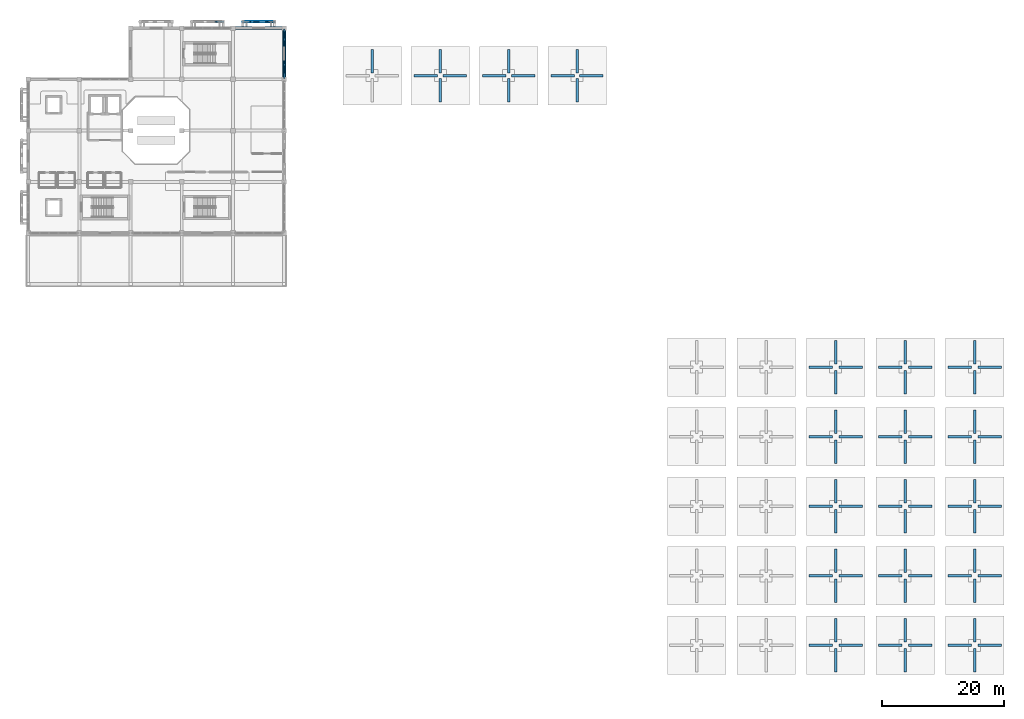
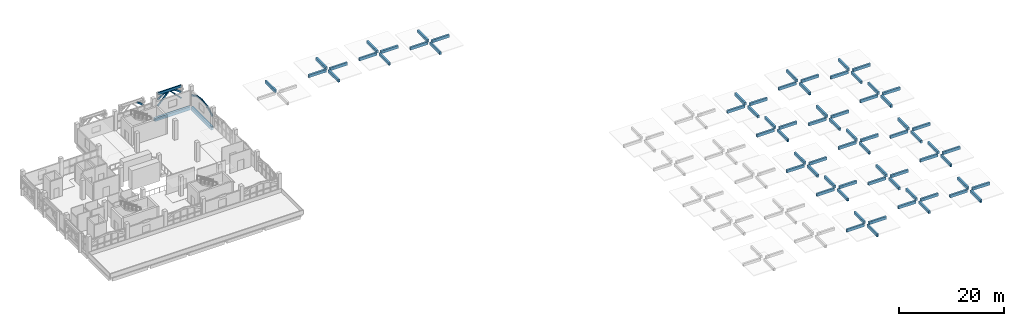
# One storey, part 17 of 30: 76 beams, 11 members.
"""IFC4 building model written with IfcOpenShell, lengths in metres."""

from ifc_helpers import new_model, si_unit, direction, frame, origin, origin_2d, place, context, subcontext, project, spatial, rectangle, extrude, material, material_profile, profile_set, type_object, element, save


model = new_model("IFC4")

# Units and contexts
model_context = context("Model", 3, precision=1e-05, world=origin(), true_north=direction((0.0, 1.0)))
body_context = subcontext(model_context, "Body", "Model", "MODEL_VIEW")
ifc_project = project(units=[si_unit("LENGTHUNIT", "METRE"), si_unit("AREAUNIT", "SQUARE_METRE"), si_unit("VOLUMEUNIT", "CUBIC_METRE"), si_unit("PLANEANGLEUNIT", "RADIAN"), si_unit("MASSUNIT", "GRAM", prefix="KILO")], contexts=[model_context])

# Site, building, storey
site_placement = place(None, origin())
site = spatial("IfcSite", under=ifc_project, at=site_placement, CompositionType="ELEMENT")
building_placement = place(site_placement, origin())
building = spatial("IfcBuilding", under=site, at=building_placement, Name="Xazarin Passage Department Store", CompositionType="ELEMENT")
storey_placement = place(building_placement, frame((0.0, 0.0, 23.39990234375)))
storey = spatial("IfcBuildingStorey", under=building, at=storey_placement, Name="L05", CompositionType="ELEMENT", Elevation=23.39990234375)

# Beams
ifc_material_1 = material(Name="Concrete C35/45", Category="concrete")
ifc_material_profile_1 = material_profile(ifc_material_1, rectangle(XDim=0.300048828125, YDim=0.5, at=origin_2d()), Name="RC 300x500")
ifc_profile_set_1 = profile_set([ifc_material_profile_1], Name="Concrete C35/45")
beam_type_1 = type_object("IfcBeamType", Name="STR-BM-LN300x500", PredefinedType="LINTEL", material=ifc_profile_set_1)
beam_1_placement = place(storey_placement, frame((35.219970703125, 111.050048828125, 4.25), z_axis=(1.0, 0.0, 0.0), x_axis=(0.0, 1.0, 0.0)))
element("IfcBeam", 1, at=beam_1_placement, inside=storey, type_object=beam_type_1, Name="L05 V1 Colonnade Spandrel Beam 003", PredefinedType="LINTEL", context=body_context, shape_type="SweptSolid", body=[
    extrude(rectangle(XDim=0.300048828125, YDim=0.5, at=origin_2d()), origin(), (0.0, 0.0, 1.0), 5.159912109375),
])
ifc_material_profile_2 = material_profile(ifc_material_1, rectangle(XDim=0.5, YDim=0.75, at=origin_2d()), Name="RC 500x750")
ifc_profile_set_2 = profile_set([ifc_material_profile_2], Name="Concrete C35/45")
beam_type_2 = type_object("IfcBeamType", Name="STR-BM-SP500x750", PredefinedType="SPANDREL", material=ifc_profile_set_2)
for number, where, z_axis, x_axis, name in (
    (2, (33.8798828125, 110.0, -0.6748046875), (1.0, 0.0, 0.0), (0.0, 1.0, 0.0), "L05 Grid Beam Q/5-6"),
    (3, (42.0, 101.8798828125, -0.6748046875), (0.0, 1.0, 0.0), (-1.0, 0.0, 0.0), "L05 Grid Beam 6/P-Q"),
):
    element("IfcBeam", number, at=place(storey_placement, frame(where, z_axis=z_axis, x_axis=x_axis)), inside=storey, type_object=beam_type_2, Name=name, PredefinedType="SPANDREL", context=body_context, shape_type="SweptSolid", body=[
        extrude(rectangle(XDim=0.5, YDim=0.75, at=origin_2d()), origin(), (0.0, 0.0, 1.0), 7.840087890625),
    ])
ifc_material_2 = material(Name="Concrete C40/50", Category="concrete")
ifc_material_profile_3 = material_profile(ifc_material_2, rectangle(XDim=0.39990234375, YDim=0.64990234375, at=origin_2d()), Name="RC 400x650")
ifc_profile_set_3 = profile_set([ifc_material_profile_3], Name="Concrete C40/50")
beam_type_3 = type_object("IfcBeamType", Name="STR-BM-UMB400x650", PredefinedType="BEAM", material=ifc_profile_set_3)
beam_2_placement = place(storey_placement, frame((56.39990234375, 102.639892578125, 2.455078125), z_axis=(0.0, 1.0, 0.0), x_axis=(-1.0, 0.0, 0.0)))
element("IfcBeam", 4, at=beam_2_placement, inside=storey, type_object=beam_type_3, Name="Umbrella UM1 Cantilever Rib N", PredefinedType="BEAM", context=body_context, shape_type="SweptSolid", body=[
    extrude(rectangle(XDim=0.39990234375, YDim=0.64990234375, at=origin_2d()), origin(), (0.0, 0.0, 1.0), 3.85009765625),
])
for number, where, z_axis, x_axis, name in (
    (5, (68.0400390625, 102.199951171875, 3.85498046875), (1.0, 0.0, 0.0), (0.0, 1.0, 0.0), "Umbrella UM2 Cantilever Rib E"),
    (6, (67.159912109375, 102.199951171875, 3.85498046875), (-1.0, 0.0, 0.0), (0.0, -1.0, 0.0), "Umbrella UM2 Cantilever Rib W"),
):
    element("IfcBeam", number, at=place(storey_placement, frame(where, z_axis=z_axis, x_axis=x_axis)), inside=storey, type_object=beam_type_3, Name=name, PredefinedType="BEAM", context=body_context, shape_type="SweptSolid", body=[
        extrude(rectangle(XDim=0.39990234375, YDim=0.64990234375, at=origin_2d()), origin(), (0.0, 0.0, 1.0), 3.849853515625),
    ])
for number, where, z_axis, x_axis, name in (
    (7, (67.60009765625, 102.639892578125, 3.85498046875), (0.0, 1.0, 0.0), (-1.0, 0.0, 0.0), "Umbrella UM2 Cantilever Rib N"),
    (8, (67.60009765625, 101.760009765625, 3.85498046875), (0.0, -1.0, 0.0), (1.0, 0.0, 0.0), "Umbrella UM2 Cantilever Rib S"),
    (9, (79.239990234375, 102.199951171875, 3.85498046875), (1.0, 0.0, 0.0), (0.0, 1.0, 0.0), "Umbrella UM3 Cantilever Rib E"),
    (10, (78.360107421875, 102.199951171875, 3.85498046875), (-1.0, 0.0, 0.0), (0.0, -1.0, 0.0), "Umbrella UM3 Cantilever Rib W"),
    (11, (78.800048828125, 102.639892578125, 3.85498046875), (0.0, 1.0, 0.0), (-1.0, 0.0, 0.0), "Umbrella UM3 Cantilever Rib N"),
    (12, (78.800048828125, 101.760009765625, 3.85498046875), (0.0, -1.0, 0.0), (1.0, 0.0, 0.0), "Umbrella UM3 Cantilever Rib S"),
    (13, (90.43994140625, 102.199951171875, 2.455078125), (1.0, 0.0, 0.0), (0.0, 1.0, 0.0), "Umbrella UM4 Cantilever Rib E"),
    (14, (89.56005859375, 102.199951171875, 2.455078125), (-1.0, 0.0, 0.0), (0.0, -1.0, 0.0), "Umbrella UM4 Cantilever Rib W"),
    (15, (90.0, 102.639892578125, 2.455078125), (0.0, 1.0, 0.0), (-1.0, 0.0, 0.0), "Umbrella UM4 Cantilever Rib N"),
    (16, (90.0, 101.760009765625, 2.455078125), (0.0, -1.0, 0.0), (1.0, 0.0, 0.0), "Umbrella UM4 Cantilever Rib S"),
    (17, (132.949951171875, 8.800048828125, 1.85498046875), (1.0, 0.0, 0.0), (0.0, 1.0, 0.0), "Umbrella UM7 Cantilever Rib E"),
    (18, (131.85009765625, 8.800048828125, 1.85498046875), (-1.0, 0.0, 0.0), (0.0, -1.0, 0.0), "Umbrella UM7 Cantilever Rib W"),
):
    element("IfcBeam", number, at=place(storey_placement, frame(where, z_axis=z_axis, x_axis=x_axis)), inside=storey, type_object=beam_type_3, Name=name, PredefinedType="BEAM", context=body_context, shape_type="SweptSolid", body=[
        extrude(rectangle(XDim=0.39990234375, YDim=0.64990234375, at=origin_2d()), origin(), (0.0, 0.0, 1.0), 3.85009765625),
    ])
beam_3_placement = place(storey_placement, frame((132.39990234375, 9.35009765625, 1.85498046875), z_axis=(0.0, 1.0, 0.0), x_axis=(-1.0, 0.0, 0.0)))
element("IfcBeam", 19, at=beam_3_placement, inside=storey, type_object=beam_type_3, Name="Umbrella UM7 Cantilever Rib N", PredefinedType="BEAM", context=body_context, shape_type="SweptSolid", body=[
    extrude(rectangle(XDim=0.39990234375, YDim=0.64990234375, at=origin_2d()), origin(), (0.0, 0.0, 1.0), 3.849853515625),
])
beam_4_placement = place(storey_placement, frame((132.39990234375, 8.25, 1.85498046875), z_axis=(0.0, -1.0, 0.0), x_axis=(1.0, 0.0, 0.0)))
element("IfcBeam", 20, at=beam_4_placement, inside=storey, type_object=beam_type_3, Name="Umbrella UM7 Cantilever Rib S", PredefinedType="BEAM", context=body_context, shape_type="SweptSolid", body=[
    extrude(rectangle(XDim=0.39990234375, YDim=0.64990234375, at=origin_2d()), origin(), (0.0, 0.0, 1.0), 3.85009765625),
])
beam_5_placement = place(storey_placement, frame((144.35009765625, 8.800048828125, 3.255126953125), z_axis=(1.0, 0.0, 0.0), x_axis=(0.0, 1.0, 0.0)))
element("IfcBeam", 21, at=beam_5_placement, inside=storey, type_object=beam_type_3, Name="Umbrella UM8 Cantilever Rib E", PredefinedType="BEAM", context=body_context, shape_type="SweptSolid", body=[
    extrude(rectangle(XDim=0.39990234375, YDim=0.64990234375, at=origin_2d()), origin(), (0.0, 0.0, 1.0), 3.849853515625),
])
beam_6_placement = place(storey_placement, frame((143.25, 8.800048828125, 3.255126953125), z_axis=(-1.0, 0.0, 0.0), x_axis=(0.0, -1.0, 0.0)))
element("IfcBeam", 22, at=beam_6_placement, inside=storey, type_object=beam_type_3, Name="Umbrella UM8 Cantilever Rib W", PredefinedType="BEAM", context=body_context, shape_type="SweptSolid", body=[
    extrude(rectangle(XDim=0.39990234375, YDim=0.64990234375, at=origin_2d()), origin(), (0.0, 0.0, 1.0), 3.85009765625),
])
beam_7_placement = place(storey_placement, frame((143.800048828125, 9.35009765625, 3.255126953125), z_axis=(0.0, 1.0, 0.0), x_axis=(-1.0, 0.0, 0.0)))
element("IfcBeam", 23, at=beam_7_placement, inside=storey, type_object=beam_type_3, Name="Umbrella UM8 Cantilever Rib N", PredefinedType="BEAM", context=body_context, shape_type="SweptSolid", body=[
    extrude(rectangle(XDim=0.39990234375, YDim=0.64990234375, at=origin_2d()), origin(), (0.0, 0.0, 1.0), 3.849853515625),
])
for number, where, z_axis, x_axis, name in (
    (24, (143.800048828125, 8.25, 3.255126953125), (0.0, -1.0, 0.0), (1.0, 0.0, 0.0), "Umbrella UM8 Cantilever Rib S"),
    (25, (155.75, 8.800048828125, 1.85498046875), (1.0, 0.0, 0.0), (0.0, 1.0, 0.0), "Umbrella UM9 Cantilever Rib E"),
):
    element("IfcBeam", number, at=place(storey_placement, frame(where, z_axis=z_axis, x_axis=x_axis)), inside=storey, type_object=beam_type_3, Name=name, PredefinedType="BEAM", context=body_context, shape_type="SweptSolid", body=[
        extrude(rectangle(XDim=0.39990234375, YDim=0.64990234375, at=origin_2d()), origin(), (0.0, 0.0, 1.0), 3.85009765625),
    ])
for number, where, z_axis, x_axis, name in (
    (26, (154.64990234375, 8.800048828125, 1.85498046875), (-1.0, 0.0, 0.0), (0.0, -1.0, 0.0), "Umbrella UM9 Cantilever Rib W"),
    (27, (155.199951171875, 9.35009765625, 1.85498046875), (0.0, 1.0, 0.0), (-1.0, 0.0, 0.0), "Umbrella UM9 Cantilever Rib N"),
):
    element("IfcBeam", number, at=place(storey_placement, frame(where, z_axis=z_axis, x_axis=x_axis)), inside=storey, type_object=beam_type_3, Name=name, PredefinedType="BEAM", context=body_context, shape_type="SweptSolid", body=[
        extrude(rectangle(XDim=0.39990234375, YDim=0.64990234375, at=origin_2d()), origin(), (0.0, 0.0, 1.0), 3.849853515625),
    ])
for number, where, z_axis, x_axis, name in (
    (28, (155.199951171875, 8.25, 1.85498046875), (0.0, -1.0, 0.0), (1.0, 0.0, 0.0), "Umbrella UM9 Cantilever Rib S"),
    (29, (132.949951171875, 20.199951171875, 3.255126953125), (1.0, 0.0, 0.0), (0.0, 1.0, 0.0), "Umbrella UM12 Cantilever Rib E"),
    (30, (131.85009765625, 20.199951171875, 3.255126953125), (-1.0, 0.0, 0.0), (0.0, -1.0, 0.0), "Umbrella UM12 Cantilever Rib W"),
    (31, (132.39990234375, 20.75, 3.255126953125), (0.0, 1.0, 0.0), (-1.0, 0.0, 0.0), "Umbrella UM12 Cantilever Rib N"),
):
    element("IfcBeam", number, at=place(storey_placement, frame(where, z_axis=z_axis, x_axis=x_axis)), inside=storey, type_object=beam_type_3, Name=name, PredefinedType="BEAM", context=body_context, shape_type="SweptSolid", body=[
        extrude(rectangle(XDim=0.39990234375, YDim=0.64990234375, at=origin_2d()), origin(), (0.0, 0.0, 1.0), 3.85009765625),
    ])
for number, where, z_axis, x_axis, name in (
    (32, (132.39990234375, 19.64990234375, 3.255126953125), (0.0, -1.0, 0.0), (1.0, 0.0, 0.0), "Umbrella UM12 Cantilever Rib S"),
    (33, (144.35009765625, 20.199951171875, 1.85498046875), (1.0, 0.0, 0.0), (0.0, 1.0, 0.0), "Umbrella UM13 Cantilever Rib E"),
):
    element("IfcBeam", number, at=place(storey_placement, frame(where, z_axis=z_axis, x_axis=x_axis)), inside=storey, type_object=beam_type_3, Name=name, PredefinedType="BEAM", context=body_context, shape_type="SweptSolid", body=[
        extrude(rectangle(XDim=0.39990234375, YDim=0.64990234375, at=origin_2d()), origin(), (0.0, 0.0, 1.0), 3.849853515625),
    ])
for number, where, z_axis, x_axis, name in (
    (34, (143.25, 20.199951171875, 1.85498046875), (-1.0, 0.0, 0.0), (0.0, -1.0, 0.0), "Umbrella UM13 Cantilever Rib W"),
    (35, (143.800048828125, 20.75, 1.85498046875), (0.0, 1.0, 0.0), (-1.0, 0.0, 0.0), "Umbrella UM13 Cantilever Rib N"),
):
    element("IfcBeam", number, at=place(storey_placement, frame(where, z_axis=z_axis, x_axis=x_axis)), inside=storey, type_object=beam_type_3, Name=name, PredefinedType="BEAM", context=body_context, shape_type="SweptSolid", body=[
        extrude(rectangle(XDim=0.39990234375, YDim=0.64990234375, at=origin_2d()), origin(), (0.0, 0.0, 1.0), 3.85009765625),
    ])
beam_8_placement = place(storey_placement, frame((143.800048828125, 19.64990234375, 1.85498046875), z_axis=(0.0, -1.0, 0.0), x_axis=(1.0, 0.0, 0.0)))
element("IfcBeam", 36, at=beam_8_placement, inside=storey, type_object=beam_type_3, Name="Umbrella UM13 Cantilever Rib S", PredefinedType="BEAM", context=body_context, shape_type="SweptSolid", body=[
    extrude(rectangle(XDim=0.39990234375, YDim=0.64990234375, at=origin_2d()), origin(), (0.0, 0.0, 1.0), 3.849853515625),
])
beam_9_placement = place(storey_placement, frame((155.75, 20.199951171875, 3.255126953125), z_axis=(1.0, 0.0, 0.0), x_axis=(0.0, 1.0, 0.0)))
element("IfcBeam", 37, at=beam_9_placement, inside=storey, type_object=beam_type_3, Name="Umbrella UM14 Cantilever Rib E", PredefinedType="BEAM", context=body_context, shape_type="SweptSolid", body=[
    extrude(rectangle(XDim=0.39990234375, YDim=0.64990234375, at=origin_2d()), origin(), (0.0, 0.0, 1.0), 3.85009765625),
])
beam_10_placement = place(storey_placement, frame((154.64990234375, 20.199951171875, 3.255126953125), z_axis=(-1.0, 0.0, 0.0), x_axis=(0.0, -1.0, 0.0)))
element("IfcBeam", 38, at=beam_10_placement, inside=storey, type_object=beam_type_3, Name="Umbrella UM14 Cantilever Rib W", PredefinedType="BEAM", context=body_context, shape_type="SweptSolid", body=[
    extrude(rectangle(XDim=0.39990234375, YDim=0.64990234375, at=origin_2d()), origin(), (0.0, 0.0, 1.0), 3.849853515625),
])
beam_11_placement = place(storey_placement, frame((155.199951171875, 20.75, 3.255126953125), z_axis=(0.0, 1.0, 0.0), x_axis=(-1.0, 0.0, 0.0)))
element("IfcBeam", 39, at=beam_11_placement, inside=storey, type_object=beam_type_3, Name="Umbrella UM14 Cantilever Rib N", PredefinedType="BEAM", context=body_context, shape_type="SweptSolid", body=[
    extrude(rectangle(XDim=0.39990234375, YDim=0.64990234375, at=origin_2d()), origin(), (0.0, 0.0, 1.0), 3.85009765625),
])
beam_12_placement = place(storey_placement, frame((155.199951171875, 19.64990234375, 3.255126953125), z_axis=(0.0, -1.0, 0.0), x_axis=(1.0, 0.0, 0.0)))
element("IfcBeam", 40, at=beam_12_placement, inside=storey, type_object=beam_type_3, Name="Umbrella UM14 Cantilever Rib S", PredefinedType="BEAM", context=body_context, shape_type="SweptSolid", body=[
    extrude(rectangle(XDim=0.39990234375, YDim=0.64990234375, at=origin_2d()), origin(), (0.0, 0.0, 1.0), 3.849853515625),
])
for number, where, z_axis, x_axis, name in (
    (41, (132.949951171875, 31.60009765625, 1.85498046875), (1.0, 0.0, 0.0), (0.0, 1.0, 0.0), "Umbrella UM17 Cantilever Rib E"),
    (42, (131.85009765625, 31.60009765625, 1.85498046875), (-1.0, 0.0, 0.0), (0.0, -1.0, 0.0), "Umbrella UM17 Cantilever Rib W"),
    (43, (132.39990234375, 32.14990234375, 1.85498046875), (0.0, 1.0, 0.0), (-1.0, 0.0, 0.0), "Umbrella UM17 Cantilever Rib N"),
    (44, (132.39990234375, 31.050048828125, 1.85498046875), (0.0, -1.0, 0.0), (1.0, 0.0, 0.0), "Umbrella UM17 Cantilever Rib S"),
):
    element("IfcBeam", number, at=place(storey_placement, frame(where, z_axis=z_axis, x_axis=x_axis)), inside=storey, type_object=beam_type_3, Name=name, PredefinedType="BEAM", context=body_context, shape_type="SweptSolid", body=[
        extrude(rectangle(XDim=0.39990234375, YDim=0.64990234375, at=origin_2d()), origin(), (0.0, 0.0, 1.0), 3.85009765625),
    ])
beam_13_placement = place(storey_placement, frame((144.35009765625, 31.60009765625, 3.255126953125), z_axis=(1.0, 0.0, 0.0), x_axis=(0.0, 1.0, 0.0)))
element("IfcBeam", 45, at=beam_13_placement, inside=storey, type_object=beam_type_3, Name="Umbrella UM18 Cantilever Rib E", PredefinedType="BEAM", context=body_context, shape_type="SweptSolid", body=[
    extrude(rectangle(XDim=0.39990234375, YDim=0.64990234375, at=origin_2d()), origin(), (0.0, 0.0, 1.0), 3.849853515625),
])
for number, where, z_axis, x_axis, name in (
    (46, (143.25, 31.60009765625, 3.255126953125), (-1.0, 0.0, 0.0), (0.0, -1.0, 0.0), "Umbrella UM18 Cantilever Rib W"),
    (47, (143.800048828125, 32.14990234375, 3.255126953125), (0.0, 1.0, 0.0), (-1.0, 0.0, 0.0), "Umbrella UM18 Cantilever Rib N"),
    (48, (143.800048828125, 31.050048828125, 3.255126953125), (0.0, -1.0, 0.0), (1.0, 0.0, 0.0), "Umbrella UM18 Cantilever Rib S"),
    (49, (155.75, 31.60009765625, 1.85498046875), (1.0, 0.0, 0.0), (0.0, 1.0, 0.0), "Umbrella UM19 Cantilever Rib E"),
):
    element("IfcBeam", number, at=place(storey_placement, frame(where, z_axis=z_axis, x_axis=x_axis)), inside=storey, type_object=beam_type_3, Name=name, PredefinedType="BEAM", context=body_context, shape_type="SweptSolid", body=[
        extrude(rectangle(XDim=0.39990234375, YDim=0.64990234375, at=origin_2d()), origin(), (0.0, 0.0, 1.0), 3.85009765625),
    ])
beam_14_placement = place(storey_placement, frame((154.64990234375, 31.60009765625, 1.85498046875), z_axis=(-1.0, 0.0, 0.0), x_axis=(0.0, -1.0, 0.0)))
element("IfcBeam", 50, at=beam_14_placement, inside=storey, type_object=beam_type_3, Name="Umbrella UM19 Cantilever Rib W", PredefinedType="BEAM", context=body_context, shape_type="SweptSolid", body=[
    extrude(rectangle(XDim=0.39990234375, YDim=0.64990234375, at=origin_2d()), origin(), (0.0, 0.0, 1.0), 3.849853515625),
])
for number, where, z_axis, x_axis, name in (
    (51, (155.199951171875, 32.14990234375, 1.85498046875), (0.0, 1.0, 0.0), (-1.0, 0.0, 0.0), "Umbrella UM19 Cantilever Rib N"),
    (52, (155.199951171875, 31.050048828125, 1.85498046875), (0.0, -1.0, 0.0), (1.0, 0.0, 0.0), "Umbrella UM19 Cantilever Rib S"),
    (53, (132.949951171875, 43.0, 3.255126953125), (1.0, 0.0, 0.0), (0.0, 1.0, 0.0), "Umbrella UM22 Cantilever Rib E"),
    (54, (131.85009765625, 43.0, 3.255126953125), (-1.0, 0.0, 0.0), (0.0, -1.0, 0.0), "Umbrella UM22 Cantilever Rib W"),
):
    element("IfcBeam", number, at=place(storey_placement, frame(where, z_axis=z_axis, x_axis=x_axis)), inside=storey, type_object=beam_type_3, Name=name, PredefinedType="BEAM", context=body_context, shape_type="SweptSolid", body=[
        extrude(rectangle(XDim=0.39990234375, YDim=0.64990234375, at=origin_2d()), origin(), (0.0, 0.0, 1.0), 3.85009765625),
    ])
for number, where, z_axis, x_axis, name in (
    (55, (132.39990234375, 43.550048828125, 3.255126953125), (0.0, 1.0, 0.0), (-1.0, 0.0, 0.0), "Umbrella UM22 Cantilever Rib N"),
    (56, (132.39990234375, 42.449951171875, 3.255126953125), (0.0, -1.0, 0.0), (1.0, 0.0, 0.0), "Umbrella UM22 Cantilever Rib S"),
    (57, (144.35009765625, 43.0, 1.85498046875), (1.0, 0.0, 0.0), (0.0, 1.0, 0.0), "Umbrella UM23 Cantilever Rib E"),
):
    element("IfcBeam", number, at=place(storey_placement, frame(where, z_axis=z_axis, x_axis=x_axis)), inside=storey, type_object=beam_type_3, Name=name, PredefinedType="BEAM", context=body_context, shape_type="SweptSolid", body=[
        extrude(rectangle(XDim=0.39990234375, YDim=0.64990234375, at=origin_2d()), origin(), (0.0, 0.0, 1.0), 3.849853515625),
    ])
beam_15_placement = place(storey_placement, frame((143.25, 43.0, 1.85498046875), z_axis=(-1.0, 0.0, 0.0), x_axis=(0.0, -1.0, 0.0)))
element("IfcBeam", 58, at=beam_15_placement, inside=storey, type_object=beam_type_3, Name="Umbrella UM23 Cantilever Rib W", PredefinedType="BEAM", context=body_context, shape_type="SweptSolid", body=[
    extrude(rectangle(XDim=0.39990234375, YDim=0.64990234375, at=origin_2d()), origin(), (0.0, 0.0, 1.0), 3.85009765625),
])
for number, where, z_axis, x_axis, name in (
    (59, (143.800048828125, 43.550048828125, 1.85498046875), (0.0, 1.0, 0.0), (-1.0, 0.0, 0.0), "Umbrella UM23 Cantilever Rib N"),
    (60, (143.800048828125, 42.449951171875, 1.85498046875), (0.0, -1.0, 0.0), (1.0, 0.0, 0.0), "Umbrella UM23 Cantilever Rib S"),
):
    element("IfcBeam", number, at=place(storey_placement, frame(where, z_axis=z_axis, x_axis=x_axis)), inside=storey, type_object=beam_type_3, Name=name, PredefinedType="BEAM", context=body_context, shape_type="SweptSolid", body=[
        extrude(rectangle(XDim=0.39990234375, YDim=0.64990234375, at=origin_2d()), origin(), (0.0, 0.0, 1.0), 3.849853515625),
    ])
beam_16_placement = place(storey_placement, frame((155.75, 43.0, 3.255126953125), z_axis=(1.0, 0.0, 0.0), x_axis=(0.0, 1.0, 0.0)))
element("IfcBeam", 61, at=beam_16_placement, inside=storey, type_object=beam_type_3, Name="Umbrella UM24 Cantilever Rib E", PredefinedType="BEAM", context=body_context, shape_type="SweptSolid", body=[
    extrude(rectangle(XDim=0.39990234375, YDim=0.64990234375, at=origin_2d()), origin(), (0.0, 0.0, 1.0), 3.85009765625),
])
for number, where, z_axis, x_axis, name in (
    (62, (154.64990234375, 43.0, 3.255126953125), (-1.0, 0.0, 0.0), (0.0, -1.0, 0.0), "Umbrella UM24 Cantilever Rib W"),
    (63, (155.199951171875, 43.550048828125, 3.255126953125), (0.0, 1.0, 0.0), (-1.0, 0.0, 0.0), "Umbrella UM24 Cantilever Rib N"),
    (64, (155.199951171875, 42.449951171875, 3.255126953125), (0.0, -1.0, 0.0), (1.0, 0.0, 0.0), "Umbrella UM24 Cantilever Rib S"),
):
    element("IfcBeam", number, at=place(storey_placement, frame(where, z_axis=z_axis, x_axis=x_axis)), inside=storey, type_object=beam_type_3, Name=name, PredefinedType="BEAM", context=body_context, shape_type="SweptSolid", body=[
        extrude(rectangle(XDim=0.39990234375, YDim=0.64990234375, at=origin_2d()), origin(), (0.0, 0.0, 1.0), 3.849853515625),
    ])
for number, where, z_axis, x_axis, name in (
    (65, (132.949951171875, 54.39990234375, 1.85498046875), (1.0, 0.0, 0.0), (0.0, 1.0, 0.0), "Umbrella UM27 Cantilever Rib E"),
    (66, (131.85009765625, 54.39990234375, 1.85498046875), (-1.0, 0.0, 0.0), (0.0, -1.0, 0.0), "Umbrella UM27 Cantilever Rib W"),
    (67, (132.39990234375, 54.949951171875, 1.85498046875), (0.0, 1.0, 0.0), (-1.0, 0.0, 0.0), "Umbrella UM27 Cantilever Rib N"),
    (68, (132.39990234375, 53.85009765625, 1.85498046875), (0.0, -1.0, 0.0), (1.0, 0.0, 0.0), "Umbrella UM27 Cantilever Rib S"),
):
    element("IfcBeam", number, at=place(storey_placement, frame(where, z_axis=z_axis, x_axis=x_axis)), inside=storey, type_object=beam_type_3, Name=name, PredefinedType="BEAM", context=body_context, shape_type="SweptSolid", body=[
        extrude(rectangle(XDim=0.39990234375, YDim=0.64990234375, at=origin_2d()), origin(), (0.0, 0.0, 1.0), 3.85009765625),
    ])
beam_17_placement = place(storey_placement, frame((144.35009765625, 54.39990234375, 3.255126953125), z_axis=(1.0, 0.0, 0.0), x_axis=(0.0, 1.0, 0.0)))
element("IfcBeam", 69, at=beam_17_placement, inside=storey, type_object=beam_type_3, Name="Umbrella UM28 Cantilever Rib E", PredefinedType="BEAM", context=body_context, shape_type="SweptSolid", body=[
    extrude(rectangle(XDim=0.39990234375, YDim=0.64990234375, at=origin_2d()), origin(), (0.0, 0.0, 1.0), 3.849853515625),
])
for number, where, z_axis, x_axis, name in (
    (70, (143.25, 54.39990234375, 3.255126953125), (-1.0, 0.0, 0.0), (0.0, -1.0, 0.0), "Umbrella UM28 Cantilever Rib W"),
    (71, (143.800048828125, 54.949951171875, 3.255126953125), (0.0, 1.0, 0.0), (-1.0, 0.0, 0.0), "Umbrella UM28 Cantilever Rib N"),
    (72, (143.800048828125, 53.85009765625, 3.255126953125), (0.0, -1.0, 0.0), (1.0, 0.0, 0.0), "Umbrella UM28 Cantilever Rib S"),
    (73, (155.75, 54.39990234375, 1.85498046875), (1.0, 0.0, 0.0), (0.0, 1.0, 0.0), "Umbrella UM29 Cantilever Rib E"),
):
    element("IfcBeam", number, at=place(storey_placement, frame(where, z_axis=z_axis, x_axis=x_axis)), inside=storey, type_object=beam_type_3, Name=name, PredefinedType="BEAM", context=body_context, shape_type="SweptSolid", body=[
        extrude(rectangle(XDim=0.39990234375, YDim=0.64990234375, at=origin_2d()), origin(), (0.0, 0.0, 1.0), 3.85009765625),
    ])
beam_18_placement = place(storey_placement, frame((154.64990234375, 54.39990234375, 1.85498046875), z_axis=(-1.0, 0.0, 0.0), x_axis=(0.0, -1.0, 0.0)))
element("IfcBeam", 74, at=beam_18_placement, inside=storey, type_object=beam_type_3, Name="Umbrella UM29 Cantilever Rib W", PredefinedType="BEAM", context=body_context, shape_type="SweptSolid", body=[
    extrude(rectangle(XDim=0.39990234375, YDim=0.64990234375, at=origin_2d()), origin(), (0.0, 0.0, 1.0), 3.849853515625),
])
for number, where, z_axis, x_axis, name in (
    (75, (155.199951171875, 54.949951171875, 1.85498046875), (0.0, 1.0, 0.0), (-1.0, 0.0, 0.0), "Umbrella UM29 Cantilever Rib N"),
    (76, (155.199951171875, 53.85009765625, 1.85498046875), (0.0, -1.0, 0.0), (1.0, 0.0, 0.0), "Umbrella UM29 Cantilever Rib S"),
):
    element("IfcBeam", number, at=place(storey_placement, frame(where, z_axis=z_axis, x_axis=x_axis)), inside=storey, type_object=beam_type_3, Name=name, PredefinedType="BEAM", context=body_context, shape_type="SweptSolid", body=[
        extrude(rectangle(XDim=0.39990234375, YDim=0.64990234375, at=origin_2d()), origin(), (0.0, 0.0, 1.0), 3.85009765625),
    ])

# Members
ifc_material_profile_4 = material_profile(ifc_material_2, rectangle(XDim=0.199951171875, YDim=0.360107421875, at=origin_2d()), Name="RC 200x360")
ifc_profile_set_4 = profile_set([ifc_material_profile_4], Name="Concrete C40/50")
member_type_1 = type_object("IfcMemberType", Name="STR-MEM-ARC360", PredefinedType="CHORD", material=ifc_profile_set_4)
for number, where, z_axis, x_axis, name in (
    (77, (30.68994140625, 111.050048828125, 3.81640625), (0.79440903847, 0.0, -0.607383140692), (0.0, 1.0, 0.0), "L05 V1 Pierced Lattice Curved Arch 002.4"),
    (78, (35.219970703125, 111.050048828125, 2.830078125), (0.79440903847, 0.0, 0.607383140692), (0.0, 1.0, 0.0), "L05 V1 Pierced Lattice Curved Arch 003.1"),
):
    element("IfcMember", number, at=place(storey_placement, frame(where, z_axis=z_axis, x_axis=x_axis)), inside=storey, type_object=member_type_1, Name=name, PredefinedType="CHORD", context=body_context, shape_type="SweptSolid", body=[
        extrude(rectangle(XDim=0.199951171875, YDim=0.360107421875, at=origin_2d()), origin(), (0.0, 0.0, 1.0), 1.623779296875),
    ])
for number, where, z_axis, x_axis, name in (
    (79, (36.510009765625, 111.050048828125, 3.81640625), (0.979744705887, 0.0, 0.200250621188), (0.0, 1.0, 0.0), "L05 V1 Pierced Lattice Curved Arch 003.2"),
    (80, (37.800048828125, 111.050048828125, 4.080078125), (0.979744705887, 0.0, -0.200250621188), (0.0, 1.0, 0.0), "L05 V1 Pierced Lattice Curved Arch 003.3"),
):
    element("IfcMember", number, at=place(storey_placement, frame(where, z_axis=z_axis, x_axis=x_axis)), inside=storey, type_object=member_type_1, Name=name, PredefinedType="CHORD", context=body_context, shape_type="SweptSolid", body=[
        extrude(rectangle(XDim=0.199951171875, YDim=0.360107421875, at=origin_2d()), origin(), (0.0, 0.0, 1.0), 1.316650390625),
    ])
member_1_placement = place(storey_placement, frame((39.090087890625, 111.050048828125, 3.81640625), z_axis=(0.794353565088, 0.0, -0.607455688616), x_axis=(0.0, 1.0, 0.0)))
element("IfcMember", 81, at=member_1_placement, inside=storey, type_object=member_type_1, Name="L05 V1 Pierced Lattice Curved Arch 003.4", PredefinedType="CHORD", context=body_context, shape_type="SweptSolid", body=[
    extrude(rectangle(XDim=0.199951171875, YDim=0.360107421875, at=origin_2d()), origin(), (0.0, 0.0, 1.0), 1.623779296875),
])
member_2_placement = place(storey_placement, frame((42.0, 101.85009765625, 2.22998046875), z_axis=(0.0, 0.884709354127, 0.466143066793), x_axis=(-1.0, 0.0, 0.0)))
element("IfcMember", 82, at=member_2_placement, inside=storey, type_object=member_type_1, Name="L05 V1 Upper Setback Pierced Arch 036.1", PredefinedType="CHORD", context=body_context, shape_type="SweptSolid", body=[
    extrude(rectangle(XDim=0.199951171875, YDim=0.360107421875, at=origin_2d()), origin(), (0.0, 0.0, 1.0), 2.232177734375),
])
member_3_placement = place(storey_placement, frame((42.0, 103.824951171875, 3.2705078125), z_axis=(0.0, 0.987938581312, 0.154846244883), x_axis=(-1.0, 0.0, 0.0)))
element("IfcMember", 83, at=member_3_placement, inside=storey, type_object=member_type_1, Name="L05 V1 Upper Setback Pierced Arch 036.2", PredefinedType="CHORD", context=body_context, shape_type="SweptSolid", body=[
    extrude(rectangle(XDim=0.199951171875, YDim=0.360107421875, at=origin_2d()), origin(), (0.0, 0.0, 1.0), 1.999267578125),
])
member_4_placement = place(storey_placement, frame((42.0, 105.800048828125, 3.580078125), z_axis=(0.0, 0.987935652704, -0.154864928623), x_axis=(-1.0, 0.0, 0.0)))
element("IfcMember", 84, at=member_4_placement, inside=storey, type_object=member_type_1, Name="L05 V1 Upper Setback Pierced Arch 036.3", PredefinedType="CHORD", context=body_context, shape_type="SweptSolid", body=[
    extrude(rectangle(XDim=0.199951171875, YDim=0.360107421875, at=origin_2d()), origin(), (0.0, 0.0, 1.0), 1.9990234375),
])
member_5_placement = place(storey_placement, frame((42.0, 107.77490234375, 3.2705078125), z_axis=(0.0, 0.88473311603, -0.466097965454), x_axis=(-1.0, 0.0, 0.0)))
element("IfcMember", 85, at=member_5_placement, inside=storey, type_object=member_type_1, Name="L05 V1 Upper Setback Pierced Arch 036.4", PredefinedType="CHORD", context=body_context, shape_type="SweptSolid", body=[
    extrude(rectangle(XDim=0.199951171875, YDim=0.360107421875, at=origin_2d()), origin(), (0.0, 0.0, 1.0), 2.232421875),
])
ifc_material_profile_5 = material_profile(ifc_material_2, rectangle(XDim=0.159912109375, YDim=0.219970703125, at=origin_2d()), Name="RC 160x220")
ifc_profile_set_5 = profile_set([ifc_material_profile_5], Name="Concrete C40/50")
member_type_2 = type_object("IfcMemberType", Name="STR-MEM-TRC220", PredefinedType="CHORD", material=ifc_profile_set_5)
for number, where, z_axis, x_axis, name in (
    (86, (37.800048828125, 111.050048828125, 4.080078125), (-0.693558444435, 0.0, -0.720400363793), (0.0, -1.0, 0.0), "L05 V1 Upper Lattice Tracery Arch 003L"),
    (87, (37.800048828125, 111.050048828125, 4.080078125), (0.693524382622, 0.0, -0.72043315492), (0.0, 1.0, 0.0), "L05 V1 Upper Lattice Tracery Arch 003R"),
):
    element("IfcMember", number, at=place(storey_placement, frame(where, z_axis=z_axis, x_axis=x_axis)), inside=storey, type_object=member_type_2, Name=name, PredefinedType="CHORD", context=body_context, shape_type="SweptSolid", body=[
        extrude(rectangle(XDim=0.159912109375, YDim=0.219970703125, at=origin_2d()), origin(), (0.0, 0.0, 1.0), 3.719970703125),
    ])

save(model, "model.ifc")
